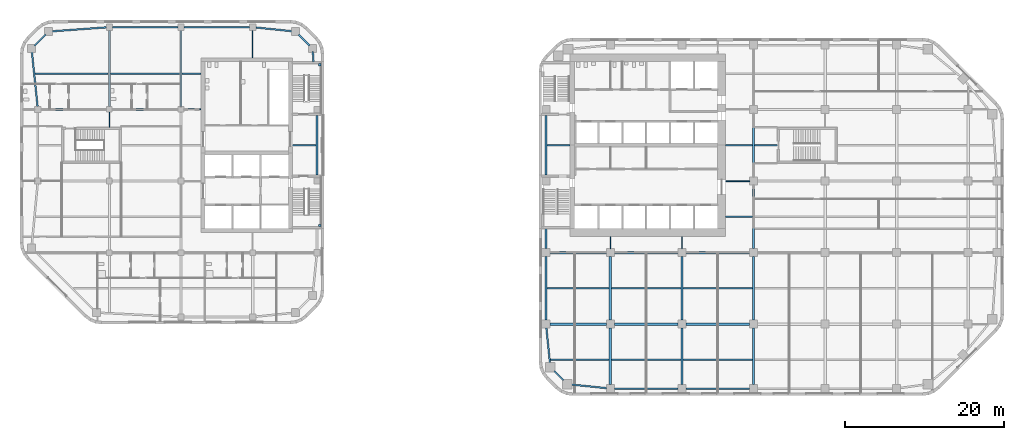
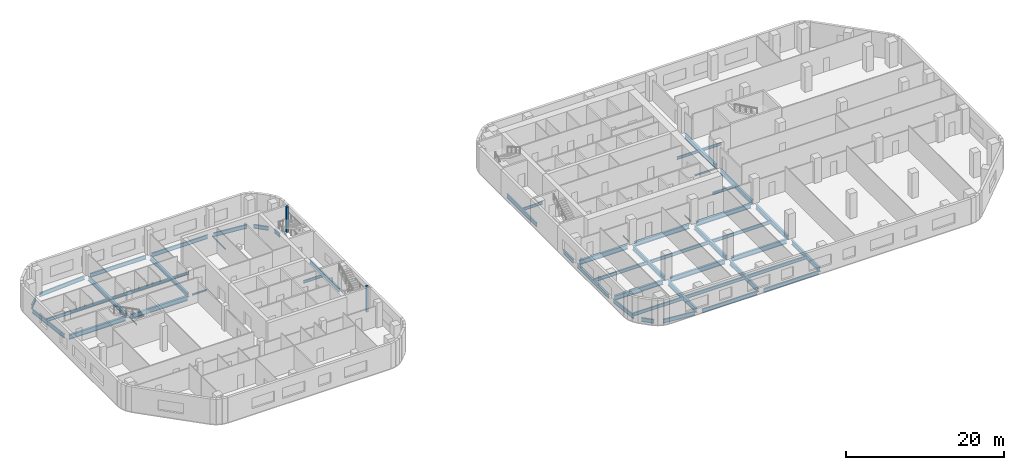
# One storey, part 2 of 15: 55 beams, 2 members.
"""IFC4 building model written with IfcOpenShell, lengths in metres."""

from ifc_helpers import new_model, si_unit, direction, frame, origin, origin_2d, place, context, subcontext, project, spatial, rectangle, i_section, extrude, material, material_profile, profile_set, type_object, element, save


model = new_model("IFC4")

# Units and contexts
model_context = context("Model", 3, precision=1e-05, world=origin(), true_north=direction((0.0, 1.0)))
body_context = subcontext(model_context, "Body", "Model", "MODEL_VIEW")
ifc_project = project(units=[si_unit("LENGTHUNIT", "METRE"), si_unit("AREAUNIT", "SQUARE_METRE"), si_unit("VOLUMEUNIT", "CUBIC_METRE"), si_unit("PLANEANGLEUNIT", "RADIAN"), si_unit("MASSUNIT", "GRAM", prefix="KILO")], contexts=[model_context])

# Site, building, storey
site_placement = place(None, origin())
site = spatial("IfcSite", under=ifc_project, at=site_placement, CompositionType="ELEMENT")
building_placement = place(site_placement, origin())
building = spatial("IfcBuilding", under=site, at=building_placement, Name="Cinnabar Reach Civic Tower", CompositionType="ELEMENT")
storey_placement = place(building_placement, frame((0.0, 0.0, 87.0)))
storey = spatial("IfcBuildingStorey", under=building, at=storey_placement, Name="L20", CompositionType="ELEMENT", Elevation=87.0)

# Beams
ifc_material_1 = material(Name="Steel Q355B", Category="steel")
ifc_material_profile_1 = material_profile(ifc_material_1, i_section(OverallWidth=0.302, OverallDepth=0.594, WebThickness=0.014, FlangeThickness=0.023, FilletRadius=0.016, at=origin_2d()), Name="HM594x302x14x23")
ifc_profile_set_1 = profile_set([ifc_material_profile_1], Name="Steel Q355B")
beam_type_1 = type_object("IfcBeamType", Name="HM594x302x14x23 beam R 120", PredefinedType="BEAM", material=ifc_profile_set_1)
for number, where, z_axis, x_axis, name in (
    (1, (-54.0, 36.352, -0.447), (0.0, 1.0, 0.0), (-1.0, 0.0, 0.0), "Girder T2 L20 5"),
    (2, (-45.0, 36.352, -0.447), (0.0, 1.0, 0.0), (-1.0, 0.0, 0.0), "Girder T2 L20 9"),
):
    element("IfcBeam", number, at=place(storey_placement, frame(where, z_axis=z_axis, x_axis=x_axis)), inside=storey, type_object=beam_type_1, Name=name, PredefinedType="BEAM", context=body_context, shape_type="SweptSolid", body=[
        extrude(i_section(OverallWidth=0.302, OverallDepth=0.594, WebThickness=0.014, FlangeThickness=0.023, FilletRadius=0.016, at=origin_2d()), origin(), (0.0, 0.0, 1.0), 9.596),
    ])
ifc_material_profile_2 = material_profile(ifc_material_1, i_section(OverallWidth=0.099, OverallDepth=0.198, WebThickness=0.0045, FlangeThickness=0.007, FilletRadius=0.013, at=origin_2d()), Name="HN200x100x5.5x8")
ifc_profile_set_2 = profile_set([ifc_material_profile_2], Name="Steel Q355B")
beam_type_2 = type_object("IfcBeamType", Name="HN200x100x5.5x8 beam R 120", PredefinedType="BEAM", material=ifc_profile_set_2)
beam_1_placement = place(storey_placement, frame((-54.0, 33.752, -0.249), z_axis=(0.0, 1.0, 0.0), x_axis=(-1.0, 0.0, 0.0)))
element("IfcBeam", 3, at=beam_1_placement, inside=storey, type_object=beam_type_2, Name="Girder T2 L20 4", PredefinedType="BEAM", context=body_context, shape_type="SweptSolid", body=[
    extrude(i_section(OverallWidth=0.099, OverallDepth=0.198, WebThickness=0.0045, FlangeThickness=0.007, FilletRadius=0.013, at=origin_2d()), origin(), (0.0, 0.0, 1.0), 1.896),
])
beam_2_placement = place(storey_placement, frame((-36.0, 42.502, -0.249), z_axis=(0.0, 1.0, 0.0), x_axis=(-1.0, 0.0, 0.0)))
element("IfcBeam", 4, at=beam_2_placement, inside=storey, type_object=beam_type_2, Name="Girder T2 L20 12", PredefinedType="BEAM", context=body_context, shape_type="SweptSolid", body=[
    extrude(i_section(OverallWidth=0.099, OverallDepth=0.198, WebThickness=0.0045, FlangeThickness=0.007, FilletRadius=0.013, at=origin_2d()), origin(), (0.0, 0.0, 1.0), 3.446),
])
ifc_material_profile_3 = material_profile(ifc_material_1, i_section(OverallWidth=0.099, OverallDepth=0.198, WebThickness=0.0045, FlangeThickness=0.007, FilletRadius=0.013, at=origin_2d()), Name="HN200x100x5.5x8")
ifc_profile_set_3 = profile_set([ifc_material_profile_3], Name="Steel Q355B")
beam_type_3 = type_object("IfcBeamType", Name="HN200x100x5.5x8 beam R 180", PredefinedType="BEAM", material=ifc_profile_set_3)
for number, where, z_axis, x_axis, name in (
    (5, (9.0, 18.502, -0.249), (0.0, 1.0, 0.0), (-1.0, 0.0, 0.0), "Girder T1 L20 3"),
    (6, (18.0, 18.502, -0.249), (0.0, 1.0, 0.0), (-1.0, 0.0, 0.0), "Girder T1 L20 6"),
):
    element("IfcBeam", number, at=place(storey_placement, frame(where, z_axis=z_axis, x_axis=x_axis)), inside=storey, type_object=beam_type_3, Name=name, PredefinedType="BEAM", context=body_context, shape_type="SweptSolid", body=[
        extrude(i_section(OverallWidth=0.099, OverallDepth=0.198, WebThickness=0.0045, FlangeThickness=0.007, FilletRadius=0.013, at=origin_2d()), origin(), (0.0, 0.0, 1.0), 1.496),
    ])
ifc_material_profile_4 = material_profile(ifc_material_1, i_section(OverallWidth=0.124, OverallDepth=0.248, WebThickness=0.005, FlangeThickness=0.008, FilletRadius=0.013, at=origin_2d()), Name="HN250x125x6x9")
ifc_profile_set_4 = profile_set([ifc_material_profile_4], Name="Steel Q355B")
beam_type_4 = type_object("IfcBeamType", Name="HN250x125x6x9 beam R 120", PredefinedType="BEAM", material=ifc_profile_set_4)
beam_3_placement = place(storey_placement, frame((-44.648, 36.0, -0.274), z_axis=(1.0, 0.0, 0.0), x_axis=(0.0, 1.0, 0.0)))
element("IfcBeam", 7, at=beam_3_placement, inside=storey, type_object=beam_type_4, Name="Girder T2 L20 10", PredefinedType="BEAM", context=body_context, shape_type="SweptSolid", body=[
    extrude(i_section(OverallWidth=0.124, OverallDepth=0.248, WebThickness=0.005, FlangeThickness=0.008, FilletRadius=0.013, at=origin_2d()), origin(), (0.0, 0.0, 1.0), 2.146),
])
ifc_material_profile_5 = material_profile(ifc_material_1, i_section(OverallWidth=0.124, OverallDepth=0.248, WebThickness=0.005, FlangeThickness=0.008, FilletRadius=0.013, at=origin_2d()), Name="HN250x125x6x9")
ifc_profile_set_5 = profile_set([ifc_material_profile_5], Name="Steel Q355B")
beam_type_5 = type_object("IfcBeamType", Name="HN250x125x6x9 beam R 180", PredefinedType="BEAM", material=ifc_profile_set_5)
beam_4_placement = place(storey_placement, frame((23.502, 27.0, -0.274), z_axis=(1.0, 0.0, 0.0), x_axis=(0.0, 1.0, 0.0)))
element("IfcBeam", 8, at=beam_4_placement, inside=storey, type_object=beam_type_5, Name="Girder T1 L20 15", PredefinedType="BEAM", context=body_context, shape_type="SweptSolid", body=[
    extrude(i_section(OverallWidth=0.124, OverallDepth=0.248, WebThickness=0.005, FlangeThickness=0.008, FilletRadius=0.013, at=origin_2d()), origin(), (0.0, 0.0, 1.0), 2.996),
])
ifc_material_profile_6 = material_profile(ifc_material_1, i_section(OverallWidth=0.199, OverallDepth=0.396, WebThickness=0.007, FlangeThickness=0.011, FilletRadius=0.013, at=origin_2d()), Name="HN396x199x7x11")
ifc_profile_set_6 = profile_set([ifc_material_profile_6], Name="Steel Q355B")
beam_type_6 = type_object("IfcBeamType", Name="HN396x199x7x11 beam R 120", PredefinedType="BEAM", material=ifc_profile_set_6)
beam_5_placement = place(storey_placement, frame((-30.998, 31.5, -0.348), z_axis=(1.0, 0.0, 0.0), x_axis=(0.0, 1.0, 0.0)))
element("IfcBeam", 9, at=beam_5_placement, inside=storey, type_object=beam_type_6, Name="Secondary beam T2 L20 11", PredefinedType="BEAM", context=body_context, shape_type="SweptSolid", body=[
    extrude(i_section(OverallWidth=0.199, OverallDepth=0.396, WebThickness=0.007, FlangeThickness=0.011, FilletRadius=0.013, at=origin_2d()), origin(), (0.0, 0.0, 1.0), 2.996),
])
beam_6_placement = place(storey_placement, frame((-44.847, 40.5, -0.348), z_axis=(1.0, 0.0, 0.0), x_axis=(0.0, 1.0, 0.0)))
element("IfcBeam", 10, at=beam_6_placement, inside=storey, type_object=beam_type_6, Name="Secondary beam T2 L20 14", PredefinedType="BEAM", context=body_context, shape_type="SweptSolid", body=[
    extrude(i_section(OverallWidth=0.199, OverallDepth=0.396, WebThickness=0.007, FlangeThickness=0.011, FilletRadius=0.013, at=origin_2d()), origin(), (0.0, 0.0, 1.0), 2.345),
])
ifc_material_profile_7 = material_profile(ifc_material_1, i_section(OverallWidth=0.2, OverallDepth=0.4, WebThickness=0.008, FlangeThickness=0.013, FilletRadius=0.016, at=origin_2d()), Name="HN400x200x8x13")
ifc_profile_set_7 = profile_set([ifc_material_profile_7], Name="Steel Q355B")
beam_type_7 = type_object("IfcBeamType", Name="HN400x200x8x13 beam R 180", PredefinedType="BEAM", material=ifc_profile_set_7)
beam_7_placement = place(storey_placement, frame((23.502, 22.5, -0.35), z_axis=(1.0, 0.0, 0.0), x_axis=(0.0, 1.0, 0.0)))
element("IfcBeam", 11, at=beam_7_placement, inside=storey, type_object=beam_type_7, Name="Secondary beam T1 L20 14", PredefinedType="BEAM", context=body_context, shape_type="SweptSolid", body=[
    extrude(i_section(OverallWidth=0.2, OverallDepth=0.4, WebThickness=0.008, FlangeThickness=0.013, FilletRadius=0.016, at=origin_2d()), origin(), (0.0, 0.0, 1.0), 3.346),
])
beam_8_placement = place(storey_placement, frame((1.002, 31.5, -0.35), z_axis=(1.0, 0.0, 0.0), x_axis=(0.0, 1.0, 0.0)))
element("IfcBeam", 12, at=beam_8_placement, inside=storey, type_object=beam_type_7, Name="Secondary beam T1 L20 19", PredefinedType="BEAM", context=body_context, shape_type="SweptSolid", body=[
    extrude(i_section(OverallWidth=0.2, OverallDepth=0.4, WebThickness=0.008, FlangeThickness=0.013, FilletRadius=0.016, at=origin_2d()), origin(), (0.0, 0.0, 1.0), 2.896),
])
beam_9_placement = place(storey_placement, frame((23.502, 31.5, -0.35), z_axis=(1.0, 0.0, 0.0), x_axis=(0.0, 1.0, 0.0)))
element("IfcBeam", 13, at=beam_9_placement, inside=storey, type_object=beam_type_7, Name="Secondary beam T1 L20 20", PredefinedType="BEAM", context=body_context, shape_type="SweptSolid", body=[
    extrude(i_section(OverallWidth=0.2, OverallDepth=0.4, WebThickness=0.008, FlangeThickness=0.013, FilletRadius=0.016, at=origin_2d()), origin(), (0.0, 0.0, 1.0), 3.346),
])
beam_10_placement = place(storey_placement, frame((27.152, 31.5, -0.35), z_axis=(1.0, 0.0, 0.0), x_axis=(0.0, 1.0, 0.0)))
element("IfcBeam", 14, at=beam_10_placement, inside=storey, type_object=beam_type_7, Name="Secondary beam T1 L20 21", PredefinedType="BEAM", context=body_context, shape_type="SweptSolid", body=[
    extrude(i_section(OverallWidth=0.2, OverallDepth=0.4, WebThickness=0.008, FlangeThickness=0.013, FilletRadius=0.016, at=origin_2d()), origin(), (0.0, 0.0, 1.0), 2.846),
])
ifc_material_profile_8 = material_profile(ifc_material_1, i_section(OverallWidth=0.199, OverallDepth=0.496, WebThickness=0.009, FlangeThickness=0.014, FilletRadius=0.016, at=origin_2d()), Name="HN496x199x9x14")
ifc_profile_set_8 = profile_set([ifc_material_profile_8], Name="Steel Q355B")
beam_type_8 = type_object("IfcBeamType", Name="HN496x199x9x14 beam R 120", PredefinedType="BEAM", material=ifc_profile_set_8)
beam_11_placement = place(storey_placement, frame((-63.3663, 40.5, -0.398), z_axis=(1.0, 0.0, 0.0), x_axis=(0.0, 1.0, 0.0)))
element("IfcBeam", 15, at=beam_11_placement, inside=storey, type_object=beam_type_8, Name="Secondary beam T2 L20 12", PredefinedType="BEAM", context=body_context, shape_type="SweptSolid", body=[
    extrude(i_section(OverallWidth=0.199, OverallDepth=0.496, WebThickness=0.009, FlangeThickness=0.014, FilletRadius=0.016, at=origin_2d()), origin(), (0.0, 0.0, 1.0), 9.2133),
])
beam_12_placement = place(storey_placement, frame((-53.847, 40.5, -0.398), z_axis=(1.0, 0.0, 0.0), x_axis=(0.0, 1.0, 0.0)))
element("IfcBeam", 16, at=beam_12_placement, inside=storey, type_object=beam_type_8, Name="Secondary beam T2 L20 13", PredefinedType="BEAM", context=body_context, shape_type="SweptSolid", body=[
    extrude(i_section(OverallWidth=0.199, OverallDepth=0.496, WebThickness=0.009, FlangeThickness=0.014, FilletRadius=0.016, at=origin_2d()), origin(), (0.0, 0.0, 1.0), 8.694),
])
ifc_material_profile_9 = material_profile(ifc_material_1, i_section(OverallWidth=0.2, OverallDepth=0.5, WebThickness=0.01, FlangeThickness=0.016, FilletRadius=0.016, at=origin_2d()), Name="HN500x200x10x16")
ifc_profile_set_9 = profile_set([ifc_material_profile_9], Name="Steel Q355B")
beam_type_9 = type_object("IfcBeamType", Name="HN500x200x10x16 beam R 180", PredefinedType="BEAM", material=ifc_profile_set_9)
beam_13_placement = place(storey_placement, frame((1.4636, 4.5, -0.4), z_axis=(1.0, 0.0, 0.0), x_axis=(0.0, 1.0, 0.0)))
element("IfcBeam", 17, at=beam_13_placement, inside=storey, type_object=beam_type_9, Name="Secondary beam T1 L20 1", PredefinedType="BEAM", context=body_context, shape_type="SweptSolid", body=[
    extrude(i_section(OverallWidth=0.2, OverallDepth=0.5, WebThickness=0.01, FlangeThickness=0.016, FilletRadius=0.016, at=origin_2d()), origin(), (0.0, 0.0, 1.0), 7.3844),
])
for number, where, z_axis, x_axis, name in (
    (18, (9.152, 4.5, -0.4), (1.0, 0.0, 0.0), (0.0, 1.0, 0.0), "Secondary beam T1 L20 2"),
    (19, (18.152, 4.5, -0.4), (1.0, 0.0, 0.0), (0.0, 1.0, 0.0), "Secondary beam T1 L20 3"),
):
    element("IfcBeam", number, at=place(storey_placement, frame(where, z_axis=z_axis, x_axis=x_axis)), inside=storey, type_object=beam_type_9, Name=name, PredefinedType="BEAM", context=body_context, shape_type="SweptSolid", body=[
        extrude(i_section(OverallWidth=0.2, OverallDepth=0.5, WebThickness=0.01, FlangeThickness=0.016, FilletRadius=0.016, at=origin_2d()), origin(), (0.0, 0.0, 1.0), 8.696),
    ])
beam_14_placement = place(storey_placement, frame((1.002, 13.5, -0.4), z_axis=(1.0, 0.0, 0.0), x_axis=(0.0, 1.0, 0.0)))
element("IfcBeam", 20, at=beam_14_placement, inside=storey, type_object=beam_type_9, Name="Secondary beam T1 L20 7", PredefinedType="BEAM", context=body_context, shape_type="SweptSolid", body=[
    extrude(i_section(OverallWidth=0.2, OverallDepth=0.5, WebThickness=0.01, FlangeThickness=0.016, FilletRadius=0.016, at=origin_2d()), origin(), (0.0, 0.0, 1.0), 7.846),
])
for number, where, z_axis, x_axis, name in (
    (21, (9.152, 13.5, -0.4), (1.0, 0.0, 0.0), (0.0, 1.0, 0.0), "Secondary beam T1 L20 8"),
    (22, (18.152, 13.5, -0.4), (1.0, 0.0, 0.0), (0.0, 1.0, 0.0), "Secondary beam T1 L20 9"),
):
    element("IfcBeam", number, at=place(storey_placement, frame(where, z_axis=z_axis, x_axis=x_axis)), inside=storey, type_object=beam_type_9, Name=name, PredefinedType="BEAM", context=body_context, shape_type="SweptSolid", body=[
        extrude(i_section(OverallWidth=0.2, OverallDepth=0.5, WebThickness=0.01, FlangeThickness=0.016, FilletRadius=0.016, at=origin_2d()), origin(), (0.0, 0.0, 1.0), 8.696),
    ])
ifc_material_profile_10 = material_profile(ifc_material_1, i_section(OverallWidth=0.2, OverallDepth=0.6, WebThickness=0.011, FlangeThickness=0.017, FilletRadius=0.016, at=origin_2d()), Name="HN600x200x11x17")
ifc_profile_set_10 = profile_set([ifc_material_profile_10], Name="Steel Q355B")
beam_type_10 = type_object("IfcBeamType", Name="HN600x200x11x17 beam R 120", PredefinedType="BEAM", material=ifc_profile_set_10)
beam_15_placement = place(storey_placement, frame((-27.9, 27.752, -0.45), z_axis=(0.0, 1.0, 0.0), x_axis=(-1.0, 0.0, 0.0)))
element("IfcBeam", 23, at=beam_15_placement, inside=storey, type_object=beam_type_10, Name="Edge beam T2 L20 7", PredefinedType="BEAM", context=body_context, shape_type="SweptSolid", body=[
    extrude(i_section(OverallWidth=0.2, OverallDepth=0.6, WebThickness=0.011, FlangeThickness=0.017, FilletRadius=0.016, at=origin_2d()), origin(), (0.0, 0.0, 1.0), 7.496),
])
beam_16_placement = place(storey_placement, frame((-28.3341, 42.002, -0.45), z_axis=(-0.072116143061, 0.997396241175, 0.0), x_axis=(-0.997396241175, -0.072116143061, 0.0)))
element("IfcBeam", 24, at=beam_16_placement, inside=storey, type_object=beam_type_10, Name="Edge beam T2 L20 8", PredefinedType="BEAM", context=body_context, shape_type="SweptSolid", body=[
    extrude(i_section(OverallWidth=0.2, OverallDepth=0.6, WebThickness=0.011, FlangeThickness=0.017, FilletRadius=0.016, at=origin_2d()), origin(), (0.0, 0.0, 1.0), 1.2674),
])
beam_17_placement = place(storey_placement, frame((-28.8351, 44.0301, -0.45), z_axis=(-0.707106781187, 0.707106781187, 0.0), x_axis=(-0.707106781187, -0.707106781187, 0.0)))
element("IfcBeam", 25, at=beam_17_placement, inside=storey, type_object=beam_type_10, Name="Edge beam T2 L20 9", PredefinedType="BEAM", context=body_context, shape_type="SweptSolid", body=[
    extrude(i_section(OverallWidth=0.2, OverallDepth=0.6, WebThickness=0.011, FlangeThickness=0.017, FilletRadius=0.016, at=origin_2d()), origin(), (0.0, 0.0, 1.0), 1.9584),
])
beam_18_placement = place(storey_placement, frame((-30.9839, 45.836, -0.45), z_axis=(-0.994791084875, 0.101934770579, 0.0), x_axis=(-0.101934770579, -0.994791084875, 0.0)))
element("IfcBeam", 26, at=beam_18_placement, inside=storey, type_object=beam_type_10, Name="Edge beam T2 L20 10", PredefinedType="BEAM", context=body_context, shape_type="SweptSolid", body=[
    extrude(i_section(OverallWidth=0.2, OverallDepth=0.6, WebThickness=0.011, FlangeThickness=0.017, FilletRadius=0.016, at=origin_2d()), origin(), (0.0, 0.0, 1.0), 4.6383),
])
for number, where, z_axis, x_axis, name in (
    (27, (-36.402, 46.35, -0.45), (-1.0, 0.0, 0.0), (0.0, -1.0, 0.0), "Edge beam T2 L20 11"),
    (28, (-45.402, 46.35, -0.45), (-1.0, 0.0, 0.0), (0.0, -1.0, 0.0), "Edge beam T2 L20 12"),
):
    element("IfcBeam", number, at=place(storey_placement, frame(where, z_axis=z_axis, x_axis=x_axis)), inside=storey, type_object=beam_type_10, Name=name, PredefinedType="BEAM", context=body_context, shape_type="SweptSolid", body=[
        extrude(i_section(OverallWidth=0.2, OverallDepth=0.6, WebThickness=0.011, FlangeThickness=0.017, FilletRadius=0.016, at=origin_2d()), origin(), (0.0, 0.0, 1.0), 8.196),
    ])
beam_19_placement = place(storey_placement, frame((-54.402, 46.3209, -0.45), z_axis=(-0.997395244781, -0.072129922278, 0.0), x_axis=(0.072129922278, -0.997395244781, 0.0)))
element("IfcBeam", 29, at=beam_19_placement, inside=storey, type_object=beam_type_10, Name="Edge beam T2 L20 13", PredefinedType="BEAM", context=body_context, shape_type="SweptSolid", body=[
    extrude(i_section(OverallWidth=0.2, OverallDepth=0.6, WebThickness=0.011, FlangeThickness=0.017, FilletRadius=0.016, at=origin_2d()), origin(), (0.0, 0.0, 1.0), 6.882),
])
beam_20_placement = place(storey_placement, frame((-62.0301, 45.4149, -0.45), z_axis=(-0.707106781187, -0.707106781187, 0.0), x_axis=(0.707106781187, -0.707106781187, 0.0)))
element("IfcBeam", 30, at=beam_20_placement, inside=storey, type_object=beam_type_10, Name="Edge beam T2 L20 14", PredefinedType="BEAM", context=body_context, shape_type="SweptSolid", body=[
    extrude(i_section(OverallWidth=0.2, OverallDepth=0.6, WebThickness=0.011, FlangeThickness=0.017, FilletRadius=0.016, at=origin_2d()), origin(), (0.0, 0.0, 1.0), 1.9584),
])
beam_21_placement = place(storey_placement, frame((-63.7571, 43.2661, -0.45), z_axis=(0.103633260175, -0.994615577691, 0.0), x_axis=(0.994615577691, 0.103633260175, 0.0)))
element("IfcBeam", 31, at=beam_21_placement, inside=storey, type_object=beam_type_10, Name="Edge beam T2 L20 15", PredefinedType="BEAM", context=body_context, shape_type="SweptSolid", body=[
    extrude(i_section(OverallWidth=0.2, OverallDepth=0.6, WebThickness=0.011, FlangeThickness=0.017, FilletRadius=0.016, at=origin_2d()), origin(), (0.0, 0.0, 1.0), 6.9013),
])
ifc_material_profile_11 = material_profile(ifc_material_1, i_section(OverallWidth=0.2, OverallDepth=0.6, WebThickness=0.011, FlangeThickness=0.017, FilletRadius=0.016, at=origin_2d()), Name="HN600x200x11x17")
ifc_profile_set_11 = profile_set([ifc_material_profile_11], Name="Steel Q355B")
beam_type_11 = type_object("IfcBeamType", Name="HN600x200x11x17 beam R 180", PredefinedType="BEAM", material=ifc_profile_set_11)
beam_22_placement = place(storey_placement, frame((4.0839, 1.4037, -0.45), z_axis=(0.994791228755, -0.101933366432, 0.0), x_axis=(0.101933366432, 0.994791228755, 0.0)))
element("IfcBeam", 32, at=beam_22_placement, inside=storey, type_object=beam_type_11, Name="Edge beam T1 L20 1", PredefinedType="BEAM", context=body_context, shape_type="SweptSolid", body=[
    extrude(i_section(OverallWidth=0.2, OverallDepth=0.6, WebThickness=0.011, FlangeThickness=0.017, FilletRadius=0.016, at=origin_2d()), origin(), (0.0, 0.0, 1.0), 4.4372),
])
for number, where, z_axis, x_axis, name in (
    (33, (9.502, 0.9, -0.45), (1.0, 0.0, 0.0), (0.0, 1.0, 0.0), "Edge beam T1 L20 2"),
    (34, (18.502, 0.9, -0.45), (1.0, 0.0, 0.0), (0.0, 1.0, 0.0), "Edge beam T1 L20 3"),
):
    element("IfcBeam", number, at=place(storey_placement, frame(where, z_axis=z_axis, x_axis=x_axis)), inside=storey, type_object=beam_type_11, Name=name, PredefinedType="BEAM", context=body_context, shape_type="SweptSolid", body=[
        extrude(i_section(OverallWidth=0.2, OverallDepth=0.6, WebThickness=0.011, FlangeThickness=0.017, FilletRadius=0.016, at=origin_2d()), origin(), (0.0, 0.0, 1.0), 7.996),
    ])
beam_23_placement = place(storey_placement, frame((0.9, 35.248, -0.45), z_axis=(0.0, -1.0, 0.0), x_axis=(1.0, 0.0, 0.0)))
element("IfcBeam", 35, at=beam_23_placement, inside=storey, type_object=beam_type_11, Name="Edge beam T1 L20 20", PredefinedType="BEAM", context=body_context, shape_type="SweptSolid", body=[
    extrude(i_section(OverallWidth=0.2, OverallDepth=0.6, WebThickness=0.011, FlangeThickness=0.017, FilletRadius=0.016, at=origin_2d()), origin(), (0.0, 0.0, 1.0), 7.496),
])
beam_24_placement = place(storey_placement, frame((0.9, 20.998, -0.45), z_axis=(0.0, -1.0, 0.0), x_axis=(1.0, 0.0, 0.0)))
element("IfcBeam", 36, at=beam_24_placement, inside=storey, type_object=beam_type_11, Name="Edge beam T1 L20 21", PredefinedType="BEAM", context=body_context, shape_type="SweptSolid", body=[
    extrude(i_section(OverallWidth=0.2, OverallDepth=0.6, WebThickness=0.011, FlangeThickness=0.017, FilletRadius=0.016, at=origin_2d()), origin(), (0.0, 0.0, 1.0), 2.496),
])
beam_25_placement = place(storey_placement, frame((0.9, 17.498, -0.45), z_axis=(0.0, -1.0, 0.0), x_axis=(1.0, 0.0, 0.0)))
element("IfcBeam", 37, at=beam_25_placement, inside=storey, type_object=beam_type_11, Name="Edge beam T1 L20 22", PredefinedType="BEAM", context=body_context, shape_type="SweptSolid", body=[
    extrude(i_section(OverallWidth=0.2, OverallDepth=0.6, WebThickness=0.011, FlangeThickness=0.017, FilletRadius=0.016, at=origin_2d()), origin(), (0.0, 0.0, 1.0), 7.996),
])
beam_26_placement = place(storey_placement, frame((0.9514, 8.498, -0.45), z_axis=(0.101933366432, -0.994791228755, 0.0), x_axis=(0.994791228755, 0.101933366432, 0.0)))
element("IfcBeam", 38, at=beam_26_placement, inside=storey, type_object=beam_type_11, Name="Edge beam T1 L20 23", PredefinedType="BEAM", context=body_context, shape_type="SweptSolid", body=[
    extrude(i_section(OverallWidth=0.2, OverallDepth=0.6, WebThickness=0.011, FlangeThickness=0.017, FilletRadius=0.016, at=origin_2d()), origin(), (0.0, 0.0, 1.0), 4.4372),
])
beam_27_placement = place(storey_placement, frame((1.9351, 3.1199, -0.45), z_axis=(0.707106781187, -0.707106781187, 0.0), x_axis=(0.707106781187, 0.707106781187, 0.0)))
element("IfcBeam", 39, at=beam_27_placement, inside=storey, type_object=beam_type_11, Name="Edge beam T1 L20 24", PredefinedType="BEAM", context=body_context, shape_type="SweptSolid", body=[
    extrude(i_section(OverallWidth=0.2, OverallDepth=0.6, WebThickness=0.011, FlangeThickness=0.017, FilletRadius=0.016, at=origin_2d()), origin(), (0.0, 0.0, 1.0), 1.6756),
])
ifc_material_profile_12 = material_profile(ifc_material_1, i_section(OverallWidth=0.3, OverallDepth=0.692, WebThickness=0.013, FlangeThickness=0.02, FilletRadius=0.016, at=origin_2d()), Name="HN692x300x13x20")
ifc_profile_set_12 = profile_set([ifc_material_profile_12], Name="Steel Q355B")
beam_type_12 = type_object("IfcBeamType", Name="HN692x300x13x20 beam R 120", PredefinedType="BEAM", material=ifc_profile_set_12)
beam_28_placement = place(storey_placement, frame((-62.598, 36.0, -0.496), z_axis=(1.0, 0.0, 0.0), x_axis=(0.0, 1.0, 0.0)))
element("IfcBeam", 40, at=beam_28_placement, inside=storey, type_object=beam_type_12, Name="Girder T2 L20 8", PredefinedType="BEAM", context=body_context, shape_type="SweptSolid", body=[
    extrude(i_section(OverallWidth=0.3, OverallDepth=0.692, WebThickness=0.013, FlangeThickness=0.02, FilletRadius=0.016, at=origin_2d()), origin(), (0.0, 0.0, 1.0), 8.246),
])
beam_29_placement = place(storey_placement, frame((-53.648, 36.0, -0.496), z_axis=(1.0, 0.0, 0.0), x_axis=(0.0, 1.0, 0.0)))
element("IfcBeam", 41, at=beam_29_placement, inside=storey, type_object=beam_type_12, Name="Girder T2 L20 9", PredefinedType="BEAM", context=body_context, shape_type="SweptSolid", body=[
    extrude(i_section(OverallWidth=0.3, OverallDepth=0.692, WebThickness=0.013, FlangeThickness=0.02, FilletRadius=0.016, at=origin_2d()), origin(), (0.0, 0.0, 1.0), 8.296),
])
ifc_material_profile_13 = material_profile(ifc_material_1, i_section(OverallWidth=0.3, OverallDepth=0.692, WebThickness=0.013, FlangeThickness=0.02, FilletRadius=0.016, at=origin_2d()), Name="HN692x300x13x20")
ifc_profile_set_13 = profile_set([ifc_material_profile_13], Name="Steel Q355B")
beam_type_13 = type_object("IfcBeamType", Name="HN692x300x13x20 beam R 180", PredefinedType="BEAM", material=ifc_profile_set_13)
beam_30_placement = place(storey_placement, frame((9.0, 1.402, -0.496), z_axis=(0.0, 1.0, 0.0), x_axis=(-1.0, 0.0, 0.0)))
element("IfcBeam", 42, at=beam_30_placement, inside=storey, type_object=beam_type_13, Name="Girder T1 L20 1", PredefinedType="BEAM", context=body_context, shape_type="SweptSolid", body=[
    extrude(i_section(OverallWidth=0.3, OverallDepth=0.692, WebThickness=0.013, FlangeThickness=0.02, FilletRadius=0.016, at=origin_2d()), origin(), (0.0, 0.0, 1.0), 7.096),
])
beam_31_placement = place(storey_placement, frame((9.0, 9.502, -0.496), z_axis=(0.0, 1.0, 0.0), x_axis=(-1.0, 0.0, 0.0)))
element("IfcBeam", 43, at=beam_31_placement, inside=storey, type_object=beam_type_13, Name="Girder T1 L20 2", PredefinedType="BEAM", context=body_context, shape_type="SweptSolid", body=[
    extrude(i_section(OverallWidth=0.3, OverallDepth=0.692, WebThickness=0.013, FlangeThickness=0.02, FilletRadius=0.016, at=origin_2d()), origin(), (0.0, 0.0, 1.0), 7.996),
])
beam_32_placement = place(storey_placement, frame((18.0, 1.402, -0.496), z_axis=(0.0, 1.0, 0.0), x_axis=(-1.0, 0.0, 0.0)))
element("IfcBeam", 44, at=beam_32_placement, inside=storey, type_object=beam_type_13, Name="Girder T1 L20 4", PredefinedType="BEAM", context=body_context, shape_type="SweptSolid", body=[
    extrude(i_section(OverallWidth=0.3, OverallDepth=0.692, WebThickness=0.013, FlangeThickness=0.02, FilletRadius=0.016, at=origin_2d()), origin(), (0.0, 0.0, 1.0), 7.096),
])
beam_33_placement = place(storey_placement, frame((18.0, 9.502, -0.496), z_axis=(0.0, 1.0, 0.0), x_axis=(-1.0, 0.0, 0.0)))
element("IfcBeam", 45, at=beam_33_placement, inside=storey, type_object=beam_type_13, Name="Girder T1 L20 5", PredefinedType="BEAM", context=body_context, shape_type="SweptSolid", body=[
    extrude(i_section(OverallWidth=0.3, OverallDepth=0.692, WebThickness=0.013, FlangeThickness=0.02, FilletRadius=0.016, at=origin_2d()), origin(), (0.0, 0.0, 1.0), 7.996),
])
beam_34_placement = place(storey_placement, frame((27.0, 1.402, -0.496), z_axis=(0.0, 1.0, 0.0), x_axis=(-1.0, 0.0, 0.0)))
element("IfcBeam", 46, at=beam_34_placement, inside=storey, type_object=beam_type_13, Name="Girder T1 L20 7", PredefinedType="BEAM", context=body_context, shape_type="SweptSolid", body=[
    extrude(i_section(OverallWidth=0.3, OverallDepth=0.692, WebThickness=0.013, FlangeThickness=0.02, FilletRadius=0.016, at=origin_2d()), origin(), (0.0, 0.0, 1.0), 7.096),
])
for number, where, z_axis, x_axis, name in (
    (47, (27.0, 9.502, -0.496), (0.0, 1.0, 0.0), (-1.0, 0.0, 0.0), "Girder T1 L20 8"),
    (48, (27.0, 18.502, -0.496), (0.0, 1.0, 0.0), (-1.0, 0.0, 0.0), "Girder T1 L20 9"),
    (49, (27.0, 27.502, -0.496), (0.0, 1.0, 0.0), (-1.0, 0.0, 0.0), "Girder T1 L20 10"),
):
    element("IfcBeam", number, at=place(storey_placement, frame(where, z_axis=z_axis, x_axis=x_axis)), inside=storey, type_object=beam_type_13, Name=name, PredefinedType="BEAM", context=body_context, shape_type="SweptSolid", body=[
        extrude(i_section(OverallWidth=0.3, OverallDepth=0.692, WebThickness=0.013, FlangeThickness=0.02, FilletRadius=0.016, at=origin_2d()), origin(), (0.0, 0.0, 1.0), 7.996),
    ])
ifc_material_profile_14 = material_profile(ifc_material_1, i_section(OverallWidth=0.3, OverallDepth=0.7, WebThickness=0.013, FlangeThickness=0.024, FilletRadius=0.02, at=origin_2d()), Name="HN700x300x13x24")
ifc_profile_set_14 = profile_set([ifc_material_profile_14], Name="Steel Q355B")
beam_type_14 = type_object("IfcBeamType", Name="HN700x300x13x24 beam R 180", PredefinedType="BEAM", material=ifc_profile_set_14)
beam_35_placement = place(storey_placement, frame((1.402, 9.0, -0.5), z_axis=(1.0, 0.0, 0.0), x_axis=(0.0, 1.0, 0.0)))
element("IfcBeam", 50, at=beam_35_placement, inside=storey, type_object=beam_type_14, Name="Girder T1 L20 1", PredefinedType="BEAM", context=body_context, shape_type="SweptSolid", body=[
    extrude(i_section(OverallWidth=0.3, OverallDepth=0.7, WebThickness=0.013, FlangeThickness=0.024, FilletRadius=0.02, at=origin_2d()), origin(), (0.0, 0.0, 1.0), 7.096),
])
for number, where, z_axis, x_axis, name in (
    (51, (9.502, 9.0, -0.5), (1.0, 0.0, 0.0), (0.0, 1.0, 0.0), "Girder T1 L20 2"),
    (52, (18.502, 9.0, -0.5), (1.0, 0.0, 0.0), (0.0, 1.0, 0.0), "Girder T1 L20 3"),
):
    element("IfcBeam", number, at=place(storey_placement, frame(where, z_axis=z_axis, x_axis=x_axis)), inside=storey, type_object=beam_type_14, Name=name, PredefinedType="BEAM", context=body_context, shape_type="SweptSolid", body=[
        extrude(i_section(OverallWidth=0.3, OverallDepth=0.7, WebThickness=0.013, FlangeThickness=0.024, FilletRadius=0.02, at=origin_2d()), origin(), (0.0, 0.0, 1.0), 7.996),
    ])
beam_36_placement = place(storey_placement, frame((1.402, 18.0, -0.5), z_axis=(1.0, 0.0, 0.0), x_axis=(0.0, 1.0, 0.0)))
element("IfcBeam", 53, at=beam_36_placement, inside=storey, type_object=beam_type_14, Name="Girder T1 L20 8", PredefinedType="BEAM", context=body_context, shape_type="SweptSolid", body=[
    extrude(i_section(OverallWidth=0.3, OverallDepth=0.7, WebThickness=0.013, FlangeThickness=0.024, FilletRadius=0.02, at=origin_2d()), origin(), (0.0, 0.0, 1.0), 7.096),
])
for number, where, z_axis, x_axis, name in (
    (54, (9.502, 18.0, -0.5), (1.0, 0.0, 0.0), (0.0, 1.0, 0.0), "Girder T1 L20 9"),
    (55, (18.502, 18.0, -0.5), (1.0, 0.0, 0.0), (0.0, 1.0, 0.0), "Girder T1 L20 10"),
):
    element("IfcBeam", number, at=place(storey_placement, frame(where, z_axis=z_axis, x_axis=x_axis)), inside=storey, type_object=beam_type_14, Name=name, PredefinedType="BEAM", context=body_context, shape_type="SweptSolid", body=[
        extrude(i_section(OverallWidth=0.3, OverallDepth=0.7, WebThickness=0.013, FlangeThickness=0.024, FilletRadius=0.02, at=origin_2d()), origin(), (0.0, 0.0, 1.0), 7.996),
    ])

# Members
ifc_material_2 = material(Name="Concrete C40", Category="concrete")
ifc_material_profile_15 = material_profile(ifc_material_2, rectangle(XDim=0.3, YDim=0.3, at=origin_2d()), Name="C300")
ifc_profile_set_15 = profile_set([ifc_material_profile_15], Name="Concrete C40")
member_type = type_object("IfcMemberType", Name="T2 stair post 300", PredefinedType="STRUT", material=ifc_profile_set_15)
for number, where, z_axis, x_axis, name in (
    (56, (-27.55, 21.4, 0.0), (0.0, 0.0, 1.0), (1.0, 0.0, 0.0), "Stair post 1"),
    (57, (-27.55, 41.6, 0.0), (0.0, 0.0, 1.0), (1.0, 0.0, 0.0), "Stair post 2"),
):
    element("IfcMember", number, at=place(storey_placement, frame(where, z_axis=z_axis, x_axis=x_axis)), inside=storey, type_object=member_type, Name=name, PredefinedType="STRUT", context=body_context, shape_type="SweptSolid", body=[
        extrude(rectangle(XDim=0.3, YDim=0.3, at=origin_2d()), origin(), (0.0, 0.0, 1.0), 4.0),
    ])

save(model, "model.ifc")
